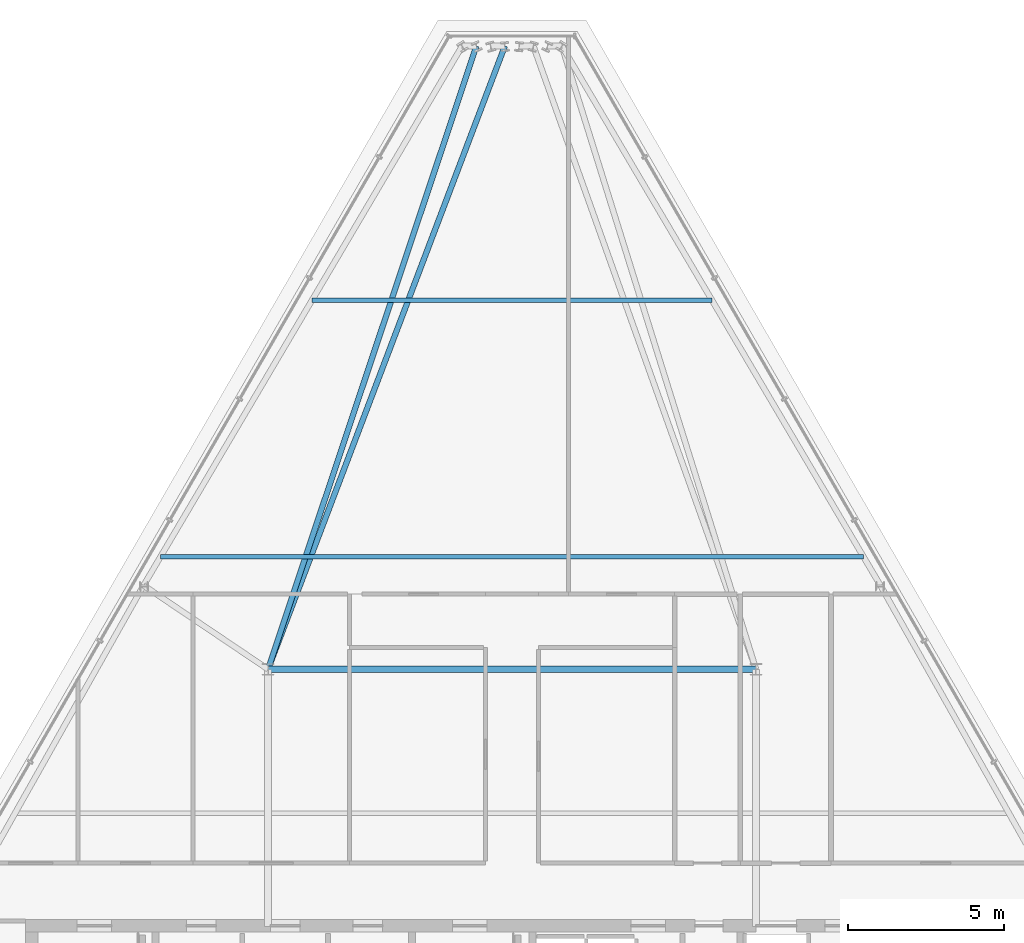
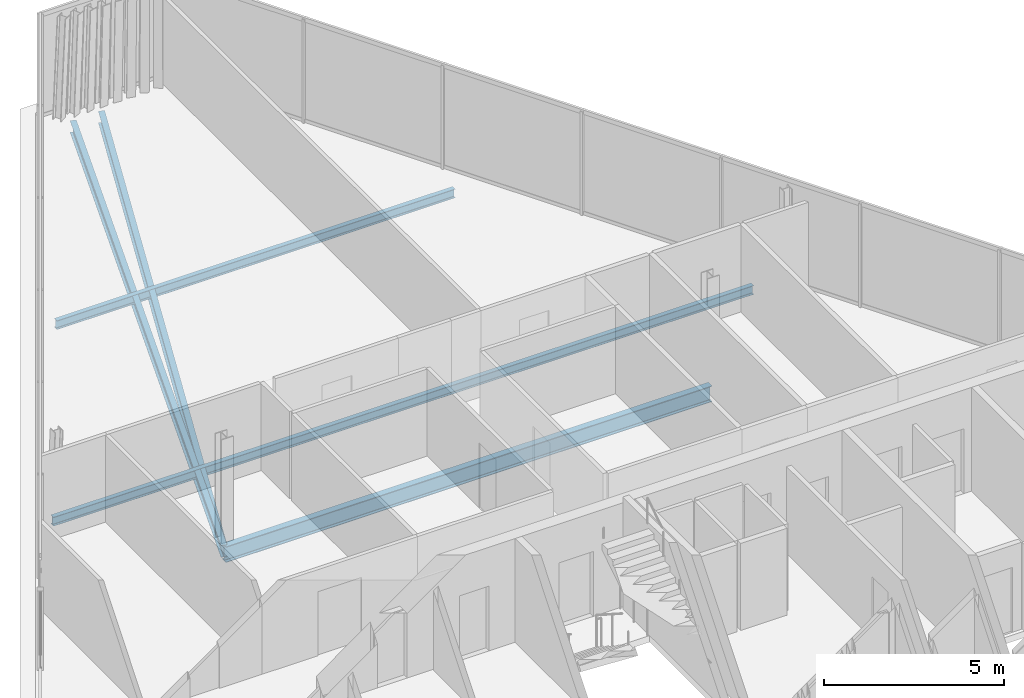
# One storey, part 16 of 32: 5 beams.
"""IFC4 building model written with IfcOpenShell, lengths in metres."""

from ifc_helpers import new_model, si_unit, direction, frame, origin, origin_2d, place, context, subcontext, project, spatial, i_section, extrude, material, material_profile, profile_set, type_object, element, save


model = new_model("IFC4")

# Units and contexts
model_context = context("Model", 3, precision=1e-05, world=origin(), true_north=direction((0.0, 1.0)))
body_context = subcontext(model_context, "Body", "Model", "MODEL_VIEW")
ifc_project = project(units=[si_unit("LENGTHUNIT", "METRE"), si_unit("AREAUNIT", "SQUARE_METRE"), si_unit("VOLUMEUNIT", "CUBIC_METRE"), si_unit("PLANEANGLEUNIT", "RADIAN"), si_unit("MASSUNIT", "GRAM", prefix="KILO")], contexts=[model_context])

# Site, building, storey
site_placement = place(None, origin())
site = spatial("IfcSite", under=ifc_project, at=site_placement, CompositionType="ELEMENT")
building_placement = place(site_placement, origin())
building = spatial("IfcBuilding", under=site, at=building_placement, Name="Ndaravel Arena Tower", CompositionType="ELEMENT")
storey_placement = place(building_placement, frame((0.0, 0.0, 294.699951171875)))
storey = spatial("IfcBuildingStorey", under=building, at=storey_placement, Name="L72", CompositionType="ELEMENT", Elevation=294.699951171875)

# Beams
ifc_material_1 = material(Name="Steel S355", Category="steel")
ifc_material_profile_1 = material_profile(ifc_material_1, i_section(OverallWidth=0.1787109375, OverallDepth=0.409423828125, WebThickness=0.0087890625, FlangeThickness=0.014404296875, FilletRadius=0.01025390625, at=origin_2d()), Name="UB 406x178x67")
ifc_profile_set_1 = profile_set([ifc_material_profile_1], Name="Steel S355")
beam_type_1 = type_object("IfcBeamType", Name="BM-GIRD-UB406", PredefinedType="BEAM", material=ifc_profile_set_1)
beam_1_placement = place(storey_placement, frame((41.772216796875, 43.12548828125, -0.424560546875), z_axis=(-0.355240779546, -0.934774833074, 0.0), x_axis=(0.934774833074, -0.355240779546, 0.0)))
element("IfcBeam", 1, at=beam_1_placement, inside=storey, type_object=beam_type_1, Name="L72 Radial Floor Girder FG-15", PredefinedType="BEAM", context=body_context, shape_type="SweptSolid", body=[
    extrude(i_section(OverallWidth=0.1787109375, OverallDepth=0.409423828125, WebThickness=0.0087890625, FlangeThickness=0.014404296875, FilletRadius=0.01025390625, at=origin_2d()), origin(), (0.0, 0.0, 1.0), 21.31591796875),
])
beam_2_placement = place(storey_placement, frame((40.861083984375, 43.12548828125, -0.424560546875), z_axis=(-0.31705386401, -0.948407532296, 0.0), x_axis=(0.948407532296, -0.31705386401, 0.0)))
element("IfcBeam", 2, at=beam_2_placement, inside=storey, type_object=beam_type_1, Name="L72 Radial Floor Girder FG-17", PredefinedType="BEAM", context=body_context, shape_type="SweptSolid", body=[
    extrude(i_section(OverallWidth=0.1787109375, OverallDepth=0.409423828125, WebThickness=0.0087890625, FlangeThickness=0.014404296875, FilletRadius=0.01025390625, at=origin_2d()), origin(), (0.0, 0.0, 1.0), 21.009521484375),
])
ifc_material_2 = material(Name="Steel S355", Category="steel")
ifc_material_profile_2 = material_profile(ifc_material_2, i_section(OverallWidth=0.210693359375, OverallDepth=0.53955078125, WebThickness=0.01171875, FlangeThickness=0.018798828125, FilletRadius=0.0126953125, at=origin_2d()), Name="UB 533x210x109")
ifc_profile_set_2 = profile_set([ifc_material_profile_2], Name="Steel S355")
beam_type_2 = type_object("IfcBeamType", Name="BM-GIRD-UB533", PredefinedType="BEAM", material=ifc_profile_set_2)
beam_3_placement = place(storey_placement, frame((34.199951171875, 23.199951171875, -0.48974609375), z_axis=(1.0, 0.0, 0.0), x_axis=(0.0, 1.0, 0.0)))
element("IfcBeam", 3, at=beam_3_placement, inside=storey, type_object=beam_type_2, Name="L72 Spine Link Girder SLG-03", PredefinedType="BEAM", context=body_context, shape_type="SweptSolid", body=[
    extrude(i_section(OverallWidth=0.210693359375, OverallDepth=0.53955078125, WebThickness=0.01171875, FlangeThickness=0.018798828125, FilletRadius=0.0126953125, at=origin_2d()), origin(), (0.0, 0.0, 1.0), 15.60009765625),
])
ifc_material_3 = material(Name="Steel S355", Category="steel")
ifc_material_profile_3 = material_profile(ifc_material_3, i_section(OverallWidth=0.14990234375, OverallDepth=0.300048828125, WebThickness=0.007080078125, FlangeThickness=0.0107421875, FilletRadius=0.014892578125, at=origin_2d()), Name="IPE 300")
ifc_profile_set_3 = profile_set([ifc_material_profile_3], Name="Steel S355")
beam_type_3 = type_object("IfcBeamType", Name="BM-JOIST-IPE300", PredefinedType="JOIST", material=ifc_profile_set_3)
beam_4_placement = place(storey_placement, frame((30.7646484375, 26.800048828125, -0.369873046875), z_axis=(1.0, 0.0, 0.0), x_axis=(0.0, 1.0, 0.0)))
element("IfcBeam", 4, at=beam_4_placement, inside=storey, type_object=beam_type_3, Name="L72 Composite Floor Joist FJ-02", PredefinedType="JOIST", context=body_context, shape_type="SweptSolid", body=[
    extrude(i_section(OverallWidth=0.14990234375, OverallDepth=0.300048828125, WebThickness=0.007080078125, FlangeThickness=0.0107421875, FilletRadius=0.014892578125, at=origin_2d()), origin(), (0.0, 0.0, 1.0), 22.470947265625),
])
beam_5_placement = place(storey_placement, frame((35.607177734375, 35.0, -0.369873046875), z_axis=(1.0, 0.0, 0.0), x_axis=(0.0, 1.0, 0.0)))
element("IfcBeam", 5, at=beam_5_placement, inside=storey, type_object=beam_type_3, Name="L72 Composite Floor Joist FJ-03", PredefinedType="JOIST", context=body_context, shape_type="SweptSolid", body=[
    extrude(i_section(OverallWidth=0.14990234375, OverallDepth=0.300048828125, WebThickness=0.007080078125, FlangeThickness=0.0107421875, FilletRadius=0.014892578125, at=origin_2d()), origin(), (0.0, 0.0, 1.0), 12.78564453125),
])

save(model, "model.ifc")
